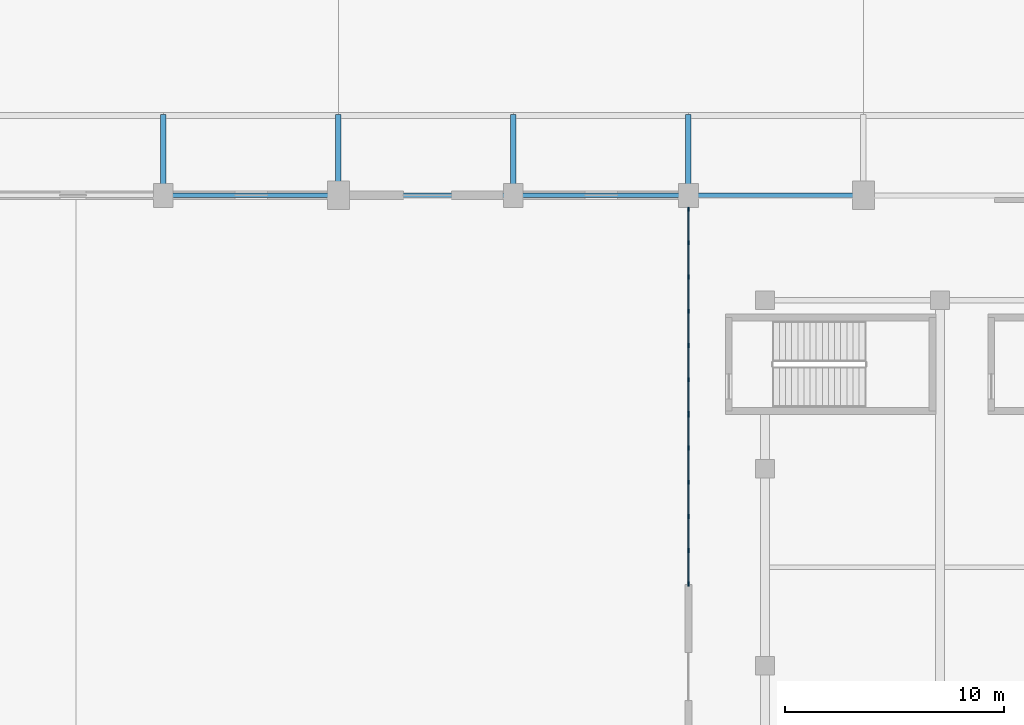
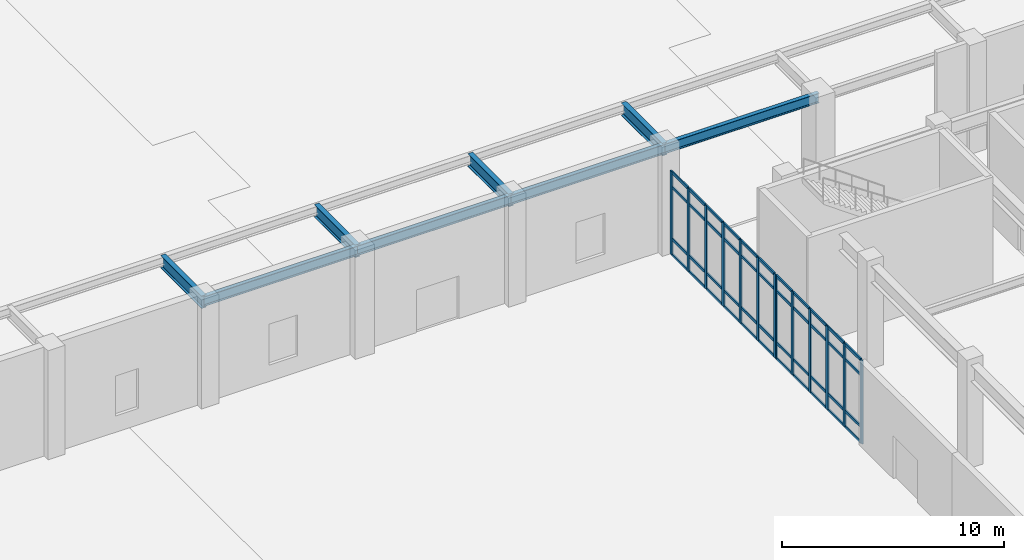
# One storey, part 17 of 49: 57 members, 8 beams, 2 elements without a shape of their own.
"""IFC4 building model written with IfcOpenShell, lengths in metres."""

from ifc_helpers import new_model, si_unit, direction, frame, origin, origin_2d, place, context, subcontext, project, spatial, rectangle, i_section, extrude, material, layer, layer_set, material_profile, profile_set, type_object, element, aggregate, save


model = new_model("IFC4")

# Units and contexts
model_context = context("Model", 3, precision=1e-05, world=origin(), true_north=direction((0.0, 1.0)))
body_context = subcontext(model_context, "Body", "Model", "MODEL_VIEW")
ifc_project = project(units=[si_unit("LENGTHUNIT", "METRE"), si_unit("AREAUNIT", "SQUARE_METRE"), si_unit("VOLUMEUNIT", "CUBIC_METRE"), si_unit("PLANEANGLEUNIT", "RADIAN"), si_unit("MASSUNIT", "GRAM", prefix="KILO")], contexts=[model_context])

# Site, building, storey
site_placement = place(None, origin())
site = spatial("IfcSite", under=ifc_project, at=site_placement, CompositionType="ELEMENT")
building_placement = place(site_placement, origin())
building = spatial("IfcBuilding", under=site, at=building_placement, Name="Tlacozan Convention Centre", CompositionType="ELEMENT")
storey_placement = place(building_placement, origin())
storey = spatial("IfcBuildingStorey", under=building, at=storey_placement, Name="L00", CompositionType="ELEMENT", Elevation=0.0)

# Curtain wall, members
ifc_material_1 = material(Name="Dark Bronze Anodised Aluminium", Category="aluminium")
ifc_layer = layer(ifc_material_1, 0.199951171875)
ifc_layer_set = layer_set([ifc_layer], Name="Dark Bronze Anodised Aluminium")
curtain_wall_type = type_object("IfcCurtainWallType", Name="Unitised Courtyard Cloister L00 CW07", PredefinedType="NOTDEFINED", material=ifc_layer_set)
curtain_wall_1_placement = place(storey_placement, origin())
curtain_wall_1 = element("IfcCurtainWall", 1, at=curtain_wall_1_placement, inside=storey, type_object=curtain_wall_type, Name="L00 CW-07 Run 159", PredefinedType="NOTDEFINED")
ifc_material_profile_1 = material_profile(ifc_material_1, rectangle(XDim=0.074951171875, YDim=0.199951171875, at=origin_2d()), Name="ALU 75x200")
ifc_profile_set_1 = profile_set([ifc_material_profile_1], Name="Dark Bronze Anodised Aluminium")
member_type_1 = type_object("IfcMemberType", Name="Curtain Wall Heavy Mullion 75x200", PredefinedType="MULLION", material=ifc_profile_set_1)
member_1_placement = place(storey_placement, frame((88.0, 44.237548828125, 0.0), z_axis=(0.0, 0.0, 1.0), x_axis=(-1.0, 0.0, 0.0)))
member_1 = element("IfcMember", 2, at=member_1_placement, type_object=member_type_1, Name="CW-07 mullion 1", PredefinedType="MULLION", context=body_context, shape_type="SweptSolid", body=[
    extrude(rectangle(XDim=0.074951171875, YDim=0.199951171875, at=origin_2d()), origin(), (0.0, 0.0, 1.0), 4.60009765625),
])
member_2_placement = place(storey_placement, frame((88.0, 45.760009765625, 0.0), z_axis=(0.0, 0.0, 1.0), x_axis=(-1.0, 0.0, 0.0)))
member_2 = element("IfcMember", 3, at=member_2_placement, type_object=member_type_1, Name="CW-07 mullion 2", PredefinedType="MULLION", context=body_context, shape_type="SweptSolid", body=[
    extrude(rectangle(XDim=0.074951171875, YDim=0.199951171875, at=origin_2d()), origin(), (0.0, 0.0, 1.0), 4.60009765625),
])
member_3_placement = place(storey_placement, frame((88.0, 47.320068359375, 0.0), z_axis=(0.0, 0.0, 1.0), x_axis=(-1.0, 0.0, 0.0)))
member_3 = element("IfcMember", 4, at=member_3_placement, type_object=member_type_1, Name="CW-07 mullion 3", PredefinedType="MULLION", context=body_context, shape_type="SweptSolid", body=[
    extrude(rectangle(XDim=0.074951171875, YDim=0.199951171875, at=origin_2d()), origin(), (0.0, 0.0, 1.0), 4.60009765625),
])
member_4_placement = place(storey_placement, frame((88.0, 48.8798828125, 0.0), z_axis=(0.0, 0.0, 1.0), x_axis=(-1.0, 0.0, 0.0)))
member_4 = element("IfcMember", 5, at=member_4_placement, type_object=member_type_1, Name="CW-07 mullion 4", PredefinedType="MULLION", context=body_context, shape_type="SweptSolid", body=[
    extrude(rectangle(XDim=0.074951171875, YDim=0.199951171875, at=origin_2d()), origin(), (0.0, 0.0, 1.0), 4.60009765625),
])
member_5_placement = place(storey_placement, frame((88.0, 50.43994140625, 0.0), z_axis=(0.0, 0.0, 1.0), x_axis=(-1.0, 0.0, 0.0)))
member_5 = element("IfcMember", 6, at=member_5_placement, type_object=member_type_1, Name="CW-07 mullion 5", PredefinedType="MULLION", context=body_context, shape_type="SweptSolid", body=[
    extrude(rectangle(XDim=0.074951171875, YDim=0.199951171875, at=origin_2d()), origin(), (0.0, 0.0, 1.0), 4.60009765625),
])
member_6_placement = place(storey_placement, frame((88.0, 51.96240234375, 0.0), z_axis=(0.0, 0.0, 1.0), x_axis=(-1.0, 0.0, 0.0)))
member_6 = element("IfcMember", 7, at=member_6_placement, type_object=member_type_1, Name="CW-07 mullion 6", PredefinedType="MULLION", context=body_context, shape_type="SweptSolid", body=[
    extrude(rectangle(XDim=0.074951171875, YDim=0.199951171875, at=origin_2d()), origin(), (0.0, 0.0, 1.0), 4.60009765625),
])

curtain_wall_2_placement = place(storey_placement, origin())
curtain_wall_2 = element("IfcCurtainWall", 8, at=curtain_wall_2_placement, inside=storey, type_object=curtain_wall_type, Name="L00 CW-07 Run 162", PredefinedType="NOTDEFINED")
member_7_placement = place(storey_placement, frame((88.0, 52.03759765625, 0.0), z_axis=(0.0, 0.0, 1.0), x_axis=(-1.0, 0.0, 0.0)))
member_7 = element("IfcMember", 9, at=member_7_placement, type_object=member_type_1, Name="CW-07 mullion 1", PredefinedType="MULLION", context=body_context, shape_type="SweptSolid", body=[
    extrude(rectangle(XDim=0.074951171875, YDim=0.199951171875, at=origin_2d()), origin(), (0.0, 0.0, 1.0), 4.60009765625),
])
member_8_placement = place(storey_placement, frame((88.0, 53.566650390625, 0.0), z_axis=(0.0, 0.0, 1.0), x_axis=(-1.0, 0.0, 0.0)))
member_8 = element("IfcMember", 10, at=member_8_placement, type_object=member_type_1, Name="CW-07 mullion 2", PredefinedType="MULLION", context=body_context, shape_type="SweptSolid", body=[
    extrude(rectangle(XDim=0.074951171875, YDim=0.199951171875, at=origin_2d()), origin(), (0.0, 0.0, 1.0), 4.60009765625),
])
member_9_placement = place(storey_placement, frame((88.0, 55.13330078125, 0.0), z_axis=(0.0, 0.0, 1.0), x_axis=(-1.0, 0.0, 0.0)))
member_9 = element("IfcMember", 11, at=member_9_placement, type_object=member_type_1, Name="CW-07 mullion 3", PredefinedType="MULLION", context=body_context, shape_type="SweptSolid", body=[
    extrude(rectangle(XDim=0.074951171875, YDim=0.199951171875, at=origin_2d()), origin(), (0.0, 0.0, 1.0), 4.60009765625),
])
member_10_placement = place(storey_placement, frame((88.0, 56.699951171875, 0.0), z_axis=(0.0, 0.0, 1.0), x_axis=(-1.0, 0.0, 0.0)))
member_10 = element("IfcMember", 12, at=member_10_placement, type_object=member_type_1, Name="CW-07 mullion 4", PredefinedType="MULLION", context=body_context, shape_type="SweptSolid", body=[
    extrude(rectangle(XDim=0.074951171875, YDim=0.199951171875, at=origin_2d()), origin(), (0.0, 0.0, 1.0), 4.60009765625),
])
member_11_placement = place(storey_placement, frame((88.0, 58.2666015625, 0.0), z_axis=(0.0, 0.0, 1.0), x_axis=(-1.0, 0.0, 0.0)))
member_11 = element("IfcMember", 13, at=member_11_placement, type_object=member_type_1, Name="CW-07 mullion 5", PredefinedType="MULLION", context=body_context, shape_type="SweptSolid", body=[
    extrude(rectangle(XDim=0.074951171875, YDim=0.199951171875, at=origin_2d()), origin(), (0.0, 0.0, 1.0), 4.60009765625),
])
member_12_placement = place(storey_placement, frame((88.0, 59.833251953125, 0.0), z_axis=(0.0, 0.0, 1.0), x_axis=(-1.0, 0.0, 0.0)))
member_12 = element("IfcMember", 14, at=member_12_placement, type_object=member_type_1, Name="CW-07 mullion 6", PredefinedType="MULLION", context=body_context, shape_type="SweptSolid", body=[
    extrude(rectangle(XDim=0.074951171875, YDim=0.199951171875, at=origin_2d()), origin(), (0.0, 0.0, 1.0), 4.60009765625),
])
member_13_placement = place(storey_placement, frame((88.0, 61.362548828125, 0.0), z_axis=(0.0, 0.0, 1.0), x_axis=(-1.0, 0.0, 0.0)))
member_13 = element("IfcMember", 15, at=member_13_placement, type_object=member_type_1, Name="CW-07 mullion 7", PredefinedType="MULLION", context=body_context, shape_type="SweptSolid", body=[
    extrude(rectangle(XDim=0.074951171875, YDim=0.199951171875, at=origin_2d()), origin(), (0.0, 0.0, 1.0), 4.60009765625),
])

# Member
ifc_material_profile_2 = material_profile(ifc_material_1, rectangle(XDim=0.074951171875, YDim=0.14990234375, at=origin_2d()), Name="ALU 75x150")
ifc_profile_set_2 = profile_set([ifc_material_profile_2], Name="Dark Bronze Anodised Aluminium")
member_type_2 = type_object("IfcMemberType", Name="Curtain Wall Heavy Transom 75x150", PredefinedType="USERDEFINED", material=ifc_profile_set_2)
member_14_placement = place(storey_placement, frame((88.0, 44.27490234375, 0.03759765625), z_axis=(0.0, 1.0, 0.0), x_axis=(-1.0, 0.0, 0.0)))
member_14 = element("IfcMember", 16, at=member_14_placement, type_object=member_type_2, Name="CW-07 transom 1.1", ObjectType="TRANSOM", PredefinedType="USERDEFINED", context=body_context, shape_type="SweptSolid", body=[
    extrude(rectangle(XDim=0.074951171875, YDim=0.14990234375, at=origin_2d()), origin(), (0.0, 0.0, 1.0), 1.447509765625),
])

member_15_placement = place(storey_placement, frame((88.0, 44.27490234375, 0.89990234375), z_axis=(0.0, 1.0, 0.0), x_axis=(-1.0, 0.0, 0.0)))
member_15 = element("IfcMember", 17, at=member_15_placement, type_object=member_type_2, Name="CW-07 transom 1.2", ObjectType="TRANSOM", PredefinedType="USERDEFINED", context=body_context, shape_type="SweptSolid", body=[
    extrude(rectangle(XDim=0.074951171875, YDim=0.14990234375, at=origin_2d()), origin(), (0.0, 0.0, 1.0), 1.447509765625),
])

member_16_placement = place(storey_placement, frame((88.0, 44.27490234375, 3.75), z_axis=(0.0, 1.0, 0.0), x_axis=(-1.0, 0.0, 0.0)))
member_16 = element("IfcMember", 18, at=member_16_placement, type_object=member_type_2, Name="CW-07 transom 1.3", ObjectType="TRANSOM", PredefinedType="USERDEFINED", context=body_context, shape_type="SweptSolid", body=[
    extrude(rectangle(XDim=0.074951171875, YDim=0.14990234375, at=origin_2d()), origin(), (0.0, 0.0, 1.0), 1.447509765625),
])

member_17_placement = place(storey_placement, frame((88.0, 44.27490234375, 4.5625), z_axis=(0.0, 1.0, 0.0), x_axis=(-1.0, 0.0, 0.0)))
member_17 = element("IfcMember", 19, at=member_17_placement, type_object=member_type_2, Name="CW-07 transom 1.4", ObjectType="TRANSOM", PredefinedType="USERDEFINED", context=body_context, shape_type="SweptSolid", body=[
    extrude(rectangle(XDim=0.074951171875, YDim=0.14990234375, at=origin_2d()), origin(), (0.0, 0.0, 1.0), 1.447509765625),
])

member_18_placement = place(storey_placement, frame((88.0, 45.797607421875, 0.03759765625), z_axis=(0.0, 1.0, 0.0), x_axis=(-1.0, 0.0, 0.0)))
member_18 = element("IfcMember", 20, at=member_18_placement, type_object=member_type_2, Name="CW-07 transom 2.1", ObjectType="TRANSOM", PredefinedType="USERDEFINED", context=body_context, shape_type="SweptSolid", body=[
    extrude(rectangle(XDim=0.074951171875, YDim=0.14990234375, at=origin_2d()), origin(), (0.0, 0.0, 1.0), 1.48486328125),
])

member_19_placement = place(storey_placement, frame((88.0, 45.797607421875, 0.89990234375), z_axis=(0.0, 1.0, 0.0), x_axis=(-1.0, 0.0, 0.0)))
member_19 = element("IfcMember", 21, at=member_19_placement, type_object=member_type_2, Name="CW-07 transom 2.2", ObjectType="TRANSOM", PredefinedType="USERDEFINED", context=body_context, shape_type="SweptSolid", body=[
    extrude(rectangle(XDim=0.074951171875, YDim=0.14990234375, at=origin_2d()), origin(), (0.0, 0.0, 1.0), 1.48486328125),
])

member_20_placement = place(storey_placement, frame((88.0, 45.797607421875, 3.75), z_axis=(0.0, 1.0, 0.0), x_axis=(-1.0, 0.0, 0.0)))
member_20 = element("IfcMember", 22, at=member_20_placement, type_object=member_type_2, Name="CW-07 transom 2.3", ObjectType="TRANSOM", PredefinedType="USERDEFINED", context=body_context, shape_type="SweptSolid", body=[
    extrude(rectangle(XDim=0.074951171875, YDim=0.14990234375, at=origin_2d()), origin(), (0.0, 0.0, 1.0), 1.48486328125),
])

member_21_placement = place(storey_placement, frame((88.0, 45.797607421875, 4.5625), z_axis=(0.0, 1.0, 0.0), x_axis=(-1.0, 0.0, 0.0)))
member_21 = element("IfcMember", 23, at=member_21_placement, type_object=member_type_2, Name="CW-07 transom 2.4", ObjectType="TRANSOM", PredefinedType="USERDEFINED", context=body_context, shape_type="SweptSolid", body=[
    extrude(rectangle(XDim=0.074951171875, YDim=0.14990234375, at=origin_2d()), origin(), (0.0, 0.0, 1.0), 1.48486328125),
])

member_22_placement = place(storey_placement, frame((88.0, 47.357421875, 0.03759765625), z_axis=(0.0, 1.0, 0.0), x_axis=(-1.0, 0.0, 0.0)))
member_22 = element("IfcMember", 24, at=member_22_placement, type_object=member_type_2, Name="CW-07 transom 3.1", ObjectType="TRANSOM", PredefinedType="USERDEFINED", context=body_context, shape_type="SweptSolid", body=[
    extrude(rectangle(XDim=0.074951171875, YDim=0.14990234375, at=origin_2d()), origin(), (0.0, 0.0, 1.0), 1.485107421875),
])

member_23_placement = place(storey_placement, frame((88.0, 47.357421875, 0.89990234375), z_axis=(0.0, 1.0, 0.0), x_axis=(-1.0, 0.0, 0.0)))
member_23 = element("IfcMember", 25, at=member_23_placement, type_object=member_type_2, Name="CW-07 transom 3.2", ObjectType="TRANSOM", PredefinedType="USERDEFINED", context=body_context, shape_type="SweptSolid", body=[
    extrude(rectangle(XDim=0.074951171875, YDim=0.14990234375, at=origin_2d()), origin(), (0.0, 0.0, 1.0), 1.485107421875),
])

member_24_placement = place(storey_placement, frame((88.0, 47.357421875, 3.75), z_axis=(0.0, 1.0, 0.0), x_axis=(-1.0, 0.0, 0.0)))
member_24 = element("IfcMember", 26, at=member_24_placement, type_object=member_type_2, Name="CW-07 transom 3.3", ObjectType="TRANSOM", PredefinedType="USERDEFINED", context=body_context, shape_type="SweptSolid", body=[
    extrude(rectangle(XDim=0.074951171875, YDim=0.14990234375, at=origin_2d()), origin(), (0.0, 0.0, 1.0), 1.485107421875),
])

member_25_placement = place(storey_placement, frame((88.0, 47.357421875, 4.5625), z_axis=(0.0, 1.0, 0.0), x_axis=(-1.0, 0.0, 0.0)))
member_25 = element("IfcMember", 27, at=member_25_placement, type_object=member_type_2, Name="CW-07 transom 3.4", ObjectType="TRANSOM", PredefinedType="USERDEFINED", context=body_context, shape_type="SweptSolid", body=[
    extrude(rectangle(XDim=0.074951171875, YDim=0.14990234375, at=origin_2d()), origin(), (0.0, 0.0, 1.0), 1.485107421875),
])

member_26_placement = place(storey_placement, frame((88.0, 48.91748046875, 0.03759765625), z_axis=(0.0, 1.0, 0.0), x_axis=(-1.0, 0.0, 0.0)))
member_26 = element("IfcMember", 28, at=member_26_placement, type_object=member_type_2, Name="CW-07 transom 4.1", ObjectType="TRANSOM", PredefinedType="USERDEFINED", context=body_context, shape_type="SweptSolid", body=[
    extrude(rectangle(XDim=0.074951171875, YDim=0.14990234375, at=origin_2d()), origin(), (0.0, 0.0, 1.0), 1.485107421875),
])

member_27_placement = place(storey_placement, frame((88.0, 48.91748046875, 0.89990234375), z_axis=(0.0, 1.0, 0.0), x_axis=(-1.0, 0.0, 0.0)))
member_27 = element("IfcMember", 29, at=member_27_placement, type_object=member_type_2, Name="CW-07 transom 4.2", ObjectType="TRANSOM", PredefinedType="USERDEFINED", context=body_context, shape_type="SweptSolid", body=[
    extrude(rectangle(XDim=0.074951171875, YDim=0.14990234375, at=origin_2d()), origin(), (0.0, 0.0, 1.0), 1.485107421875),
])

member_28_placement = place(storey_placement, frame((88.0, 48.91748046875, 3.75), z_axis=(0.0, 1.0, 0.0), x_axis=(-1.0, 0.0, 0.0)))
member_28 = element("IfcMember", 30, at=member_28_placement, type_object=member_type_2, Name="CW-07 transom 4.3", ObjectType="TRANSOM", PredefinedType="USERDEFINED", context=body_context, shape_type="SweptSolid", body=[
    extrude(rectangle(XDim=0.074951171875, YDim=0.14990234375, at=origin_2d()), origin(), (0.0, 0.0, 1.0), 1.485107421875),
])

member_29_placement = place(storey_placement, frame((88.0, 48.91748046875, 4.5625), z_axis=(0.0, 1.0, 0.0), x_axis=(-1.0, 0.0, 0.0)))
member_29 = element("IfcMember", 31, at=member_29_placement, type_object=member_type_2, Name="CW-07 transom 4.4", ObjectType="TRANSOM", PredefinedType="USERDEFINED", context=body_context, shape_type="SweptSolid", body=[
    extrude(rectangle(XDim=0.074951171875, YDim=0.14990234375, at=origin_2d()), origin(), (0.0, 0.0, 1.0), 1.485107421875),
])

member_30_placement = place(storey_placement, frame((88.0, 50.4775390625, 0.03759765625), z_axis=(0.0, 1.0, 0.0), x_axis=(-1.0, 0.0, 0.0)))
member_30 = element("IfcMember", 32, at=member_30_placement, type_object=member_type_2, Name="CW-07 transom 5.1", ObjectType="TRANSOM", PredefinedType="USERDEFINED", context=body_context, shape_type="SweptSolid", body=[
    extrude(rectangle(XDim=0.074951171875, YDim=0.14990234375, at=origin_2d()), origin(), (0.0, 0.0, 1.0), 1.447509765625),
])

member_31_placement = place(storey_placement, frame((88.0, 50.4775390625, 0.89990234375), z_axis=(0.0, 1.0, 0.0), x_axis=(-1.0, 0.0, 0.0)))
member_31 = element("IfcMember", 33, at=member_31_placement, type_object=member_type_2, Name="CW-07 transom 5.2", ObjectType="TRANSOM", PredefinedType="USERDEFINED", context=body_context, shape_type="SweptSolid", body=[
    extrude(rectangle(XDim=0.074951171875, YDim=0.14990234375, at=origin_2d()), origin(), (0.0, 0.0, 1.0), 1.447509765625),
])

member_32_placement = place(storey_placement, frame((88.0, 50.4775390625, 3.75), z_axis=(0.0, 1.0, 0.0), x_axis=(-1.0, 0.0, 0.0)))
member_32 = element("IfcMember", 34, at=member_32_placement, type_object=member_type_2, Name="CW-07 transom 5.3", ObjectType="TRANSOM", PredefinedType="USERDEFINED", context=body_context, shape_type="SweptSolid", body=[
    extrude(rectangle(XDim=0.074951171875, YDim=0.14990234375, at=origin_2d()), origin(), (0.0, 0.0, 1.0), 1.447509765625),
])

member_33_placement = place(storey_placement, frame((88.0, 50.4775390625, 4.5625), z_axis=(0.0, 1.0, 0.0), x_axis=(-1.0, 0.0, 0.0)))
member_33 = element("IfcMember", 35, at=member_33_placement, type_object=member_type_2, Name="CW-07 transom 5.4", ObjectType="TRANSOM", PredefinedType="USERDEFINED", context=body_context, shape_type="SweptSolid", body=[
    extrude(rectangle(XDim=0.074951171875, YDim=0.14990234375, at=origin_2d()), origin(), (0.0, 0.0, 1.0), 1.447509765625),
])

aggregate(curtain_wall_1, [member_1, member_2, member_3, member_4, member_5, member_6, member_14, member_15, member_16, member_17, member_18, member_19, member_20, member_21, member_22, member_23, member_24, member_25, member_26, member_27, member_28, member_29, member_30, member_31, member_32, member_33])

member_34_placement = place(storey_placement, frame((88.0, 52.074951171875, 0.03759765625), z_axis=(0.0, 1.0, 0.0), x_axis=(-1.0, 0.0, 0.0)))
member_34 = element("IfcMember", 36, at=member_34_placement, type_object=member_type_2, Name="CW-07 transom 1.1", ObjectType="TRANSOM", PredefinedType="USERDEFINED", context=body_context, shape_type="SweptSolid", body=[
    extrude(rectangle(XDim=0.074951171875, YDim=0.14990234375, at=origin_2d()), origin(), (0.0, 0.0, 1.0), 1.4541015625),
])

member_35_placement = place(storey_placement, frame((88.0, 52.074951171875, 0.89990234375), z_axis=(0.0, 1.0, 0.0), x_axis=(-1.0, 0.0, 0.0)))
member_35 = element("IfcMember", 37, at=member_35_placement, type_object=member_type_2, Name="CW-07 transom 1.2", ObjectType="TRANSOM", PredefinedType="USERDEFINED", context=body_context, shape_type="SweptSolid", body=[
    extrude(rectangle(XDim=0.074951171875, YDim=0.14990234375, at=origin_2d()), origin(), (0.0, 0.0, 1.0), 1.4541015625),
])

member_36_placement = place(storey_placement, frame((88.0, 52.074951171875, 3.75), z_axis=(0.0, 1.0, 0.0), x_axis=(-1.0, 0.0, 0.0)))
member_36 = element("IfcMember", 38, at=member_36_placement, type_object=member_type_2, Name="CW-07 transom 1.3", ObjectType="TRANSOM", PredefinedType="USERDEFINED", context=body_context, shape_type="SweptSolid", body=[
    extrude(rectangle(XDim=0.074951171875, YDim=0.14990234375, at=origin_2d()), origin(), (0.0, 0.0, 1.0), 1.4541015625),
])

member_37_placement = place(storey_placement, frame((88.0, 52.074951171875, 4.5625), z_axis=(0.0, 1.0, 0.0), x_axis=(-1.0, 0.0, 0.0)))
member_37 = element("IfcMember", 39, at=member_37_placement, type_object=member_type_2, Name="CW-07 transom 1.4", ObjectType="TRANSOM", PredefinedType="USERDEFINED", context=body_context, shape_type="SweptSolid", body=[
    extrude(rectangle(XDim=0.074951171875, YDim=0.14990234375, at=origin_2d()), origin(), (0.0, 0.0, 1.0), 1.4541015625),
])

member_38_placement = place(storey_placement, frame((88.0, 53.604248046875, 0.03759765625), z_axis=(0.0, 1.0, 0.0), x_axis=(-1.0, 0.0, 0.0)))
member_38 = element("IfcMember", 40, at=member_38_placement, type_object=member_type_2, Name="CW-07 transom 2.1", ObjectType="TRANSOM", PredefinedType="USERDEFINED", context=body_context, shape_type="SweptSolid", body=[
    extrude(rectangle(XDim=0.074951171875, YDim=0.14990234375, at=origin_2d()), origin(), (0.0, 0.0, 1.0), 1.49169921875),
])

member_39_placement = place(storey_placement, frame((88.0, 53.604248046875, 0.89990234375), z_axis=(0.0, 1.0, 0.0), x_axis=(-1.0, 0.0, 0.0)))
member_39 = element("IfcMember", 41, at=member_39_placement, type_object=member_type_2, Name="CW-07 transom 2.2", ObjectType="TRANSOM", PredefinedType="USERDEFINED", context=body_context, shape_type="SweptSolid", body=[
    extrude(rectangle(XDim=0.074951171875, YDim=0.14990234375, at=origin_2d()), origin(), (0.0, 0.0, 1.0), 1.49169921875),
])

member_40_placement = place(storey_placement, frame((88.0, 53.604248046875, 3.75), z_axis=(0.0, 1.0, 0.0), x_axis=(-1.0, 0.0, 0.0)))
member_40 = element("IfcMember", 42, at=member_40_placement, type_object=member_type_2, Name="CW-07 transom 2.3", ObjectType="TRANSOM", PredefinedType="USERDEFINED", context=body_context, shape_type="SweptSolid", body=[
    extrude(rectangle(XDim=0.074951171875, YDim=0.14990234375, at=origin_2d()), origin(), (0.0, 0.0, 1.0), 1.49169921875),
])

member_41_placement = place(storey_placement, frame((88.0, 53.604248046875, 4.5625), z_axis=(0.0, 1.0, 0.0), x_axis=(-1.0, 0.0, 0.0)))
member_41 = element("IfcMember", 43, at=member_41_placement, type_object=member_type_2, Name="CW-07 transom 2.4", ObjectType="TRANSOM", PredefinedType="USERDEFINED", context=body_context, shape_type="SweptSolid", body=[
    extrude(rectangle(XDim=0.074951171875, YDim=0.14990234375, at=origin_2d()), origin(), (0.0, 0.0, 1.0), 1.49169921875),
])

member_42_placement = place(storey_placement, frame((88.0, 55.1708984375, 0.03759765625), z_axis=(0.0, 1.0, 0.0), x_axis=(-1.0, 0.0, 0.0)))
member_42 = element("IfcMember", 44, at=member_42_placement, type_object=member_type_2, Name="CW-07 transom 3.1", ObjectType="TRANSOM", PredefinedType="USERDEFINED", context=body_context, shape_type="SweptSolid", body=[
    extrude(rectangle(XDim=0.074951171875, YDim=0.14990234375, at=origin_2d()), origin(), (0.0, 0.0, 1.0), 1.49169921875),
])

member_43_placement = place(storey_placement, frame((88.0, 55.1708984375, 0.89990234375), z_axis=(0.0, 1.0, 0.0), x_axis=(-1.0, 0.0, 0.0)))
member_43 = element("IfcMember", 45, at=member_43_placement, type_object=member_type_2, Name="CW-07 transom 3.2", ObjectType="TRANSOM", PredefinedType="USERDEFINED", context=body_context, shape_type="SweptSolid", body=[
    extrude(rectangle(XDim=0.074951171875, YDim=0.14990234375, at=origin_2d()), origin(), (0.0, 0.0, 1.0), 1.49169921875),
])

member_44_placement = place(storey_placement, frame((88.0, 55.1708984375, 3.75), z_axis=(0.0, 1.0, 0.0), x_axis=(-1.0, 0.0, 0.0)))
member_44 = element("IfcMember", 46, at=member_44_placement, type_object=member_type_2, Name="CW-07 transom 3.3", ObjectType="TRANSOM", PredefinedType="USERDEFINED", context=body_context, shape_type="SweptSolid", body=[
    extrude(rectangle(XDim=0.074951171875, YDim=0.14990234375, at=origin_2d()), origin(), (0.0, 0.0, 1.0), 1.49169921875),
])

member_45_placement = place(storey_placement, frame((88.0, 55.1708984375, 4.5625), z_axis=(0.0, 1.0, 0.0), x_axis=(-1.0, 0.0, 0.0)))
member_45 = element("IfcMember", 47, at=member_45_placement, type_object=member_type_2, Name="CW-07 transom 3.4", ObjectType="TRANSOM", PredefinedType="USERDEFINED", context=body_context, shape_type="SweptSolid", body=[
    extrude(rectangle(XDim=0.074951171875, YDim=0.14990234375, at=origin_2d()), origin(), (0.0, 0.0, 1.0), 1.49169921875),
])

member_46_placement = place(storey_placement, frame((88.0, 56.737548828125, 0.03759765625), z_axis=(0.0, 1.0, 0.0), x_axis=(-1.0, 0.0, 0.0)))
member_46 = element("IfcMember", 48, at=member_46_placement, type_object=member_type_2, Name="CW-07 transom 4.1", ObjectType="TRANSOM", PredefinedType="USERDEFINED", context=body_context, shape_type="SweptSolid", body=[
    extrude(rectangle(XDim=0.074951171875, YDim=0.14990234375, at=origin_2d()), origin(), (0.0, 0.0, 1.0), 1.49169921875),
])

member_47_placement = place(storey_placement, frame((88.0, 56.737548828125, 0.89990234375), z_axis=(0.0, 1.0, 0.0), x_axis=(-1.0, 0.0, 0.0)))
member_47 = element("IfcMember", 49, at=member_47_placement, type_object=member_type_2, Name="CW-07 transom 4.2", ObjectType="TRANSOM", PredefinedType="USERDEFINED", context=body_context, shape_type="SweptSolid", body=[
    extrude(rectangle(XDim=0.074951171875, YDim=0.14990234375, at=origin_2d()), origin(), (0.0, 0.0, 1.0), 1.49169921875),
])

member_48_placement = place(storey_placement, frame((88.0, 56.737548828125, 3.75), z_axis=(0.0, 1.0, 0.0), x_axis=(-1.0, 0.0, 0.0)))
member_48 = element("IfcMember", 50, at=member_48_placement, type_object=member_type_2, Name="CW-07 transom 4.3", ObjectType="TRANSOM", PredefinedType="USERDEFINED", context=body_context, shape_type="SweptSolid", body=[
    extrude(rectangle(XDim=0.074951171875, YDim=0.14990234375, at=origin_2d()), origin(), (0.0, 0.0, 1.0), 1.49169921875),
])

member_49_placement = place(storey_placement, frame((88.0, 56.737548828125, 4.5625), z_axis=(0.0, 1.0, 0.0), x_axis=(-1.0, 0.0, 0.0)))
member_49 = element("IfcMember", 51, at=member_49_placement, type_object=member_type_2, Name="CW-07 transom 4.4", ObjectType="TRANSOM", PredefinedType="USERDEFINED", context=body_context, shape_type="SweptSolid", body=[
    extrude(rectangle(XDim=0.074951171875, YDim=0.14990234375, at=origin_2d()), origin(), (0.0, 0.0, 1.0), 1.49169921875),
])

member_50_placement = place(storey_placement, frame((88.0, 58.30419921875, 0.03759765625), z_axis=(0.0, 1.0, 0.0), x_axis=(-1.0, 0.0, 0.0)))
member_50 = element("IfcMember", 52, at=member_50_placement, type_object=member_type_2, Name="CW-07 transom 5.1", ObjectType="TRANSOM", PredefinedType="USERDEFINED", context=body_context, shape_type="SweptSolid", body=[
    extrude(rectangle(XDim=0.074951171875, YDim=0.14990234375, at=origin_2d()), origin(), (0.0, 0.0, 1.0), 1.49169921875),
])

member_51_placement = place(storey_placement, frame((88.0, 58.30419921875, 0.89990234375), z_axis=(0.0, 1.0, 0.0), x_axis=(-1.0, 0.0, 0.0)))
member_51 = element("IfcMember", 53, at=member_51_placement, type_object=member_type_2, Name="CW-07 transom 5.2", ObjectType="TRANSOM", PredefinedType="USERDEFINED", context=body_context, shape_type="SweptSolid", body=[
    extrude(rectangle(XDim=0.074951171875, YDim=0.14990234375, at=origin_2d()), origin(), (0.0, 0.0, 1.0), 1.49169921875),
])

member_52_placement = place(storey_placement, frame((88.0, 58.30419921875, 3.75), z_axis=(0.0, 1.0, 0.0), x_axis=(-1.0, 0.0, 0.0)))
member_52 = element("IfcMember", 54, at=member_52_placement, type_object=member_type_2, Name="CW-07 transom 5.3", ObjectType="TRANSOM", PredefinedType="USERDEFINED", context=body_context, shape_type="SweptSolid", body=[
    extrude(rectangle(XDim=0.074951171875, YDim=0.14990234375, at=origin_2d()), origin(), (0.0, 0.0, 1.0), 1.49169921875),
])

member_53_placement = place(storey_placement, frame((88.0, 58.30419921875, 4.5625), z_axis=(0.0, 1.0, 0.0), x_axis=(-1.0, 0.0, 0.0)))
member_53 = element("IfcMember", 55, at=member_53_placement, type_object=member_type_2, Name="CW-07 transom 5.4", ObjectType="TRANSOM", PredefinedType="USERDEFINED", context=body_context, shape_type="SweptSolid", body=[
    extrude(rectangle(XDim=0.074951171875, YDim=0.14990234375, at=origin_2d()), origin(), (0.0, 0.0, 1.0), 1.49169921875),
])

member_54_placement = place(storey_placement, frame((88.0, 59.870849609375, 0.03759765625), z_axis=(0.0, 1.0, 0.0), x_axis=(-1.0, 0.0, 0.0)))
member_54 = element("IfcMember", 56, at=member_54_placement, type_object=member_type_2, Name="CW-07 transom 6.1", ObjectType="TRANSOM", PredefinedType="USERDEFINED", context=body_context, shape_type="SweptSolid", body=[
    extrude(rectangle(XDim=0.074951171875, YDim=0.14990234375, at=origin_2d()), origin(), (0.0, 0.0, 1.0), 1.4541015625),
])

member_55_placement = place(storey_placement, frame((88.0, 59.870849609375, 0.89990234375), z_axis=(0.0, 1.0, 0.0), x_axis=(-1.0, 0.0, 0.0)))
member_55 = element("IfcMember", 57, at=member_55_placement, type_object=member_type_2, Name="CW-07 transom 6.2", ObjectType="TRANSOM", PredefinedType="USERDEFINED", context=body_context, shape_type="SweptSolid", body=[
    extrude(rectangle(XDim=0.074951171875, YDim=0.14990234375, at=origin_2d()), origin(), (0.0, 0.0, 1.0), 1.4541015625),
])

member_56_placement = place(storey_placement, frame((88.0, 59.870849609375, 3.75), z_axis=(0.0, 1.0, 0.0), x_axis=(-1.0, 0.0, 0.0)))
member_56 = element("IfcMember", 58, at=member_56_placement, type_object=member_type_2, Name="CW-07 transom 6.3", ObjectType="TRANSOM", PredefinedType="USERDEFINED", context=body_context, shape_type="SweptSolid", body=[
    extrude(rectangle(XDim=0.074951171875, YDim=0.14990234375, at=origin_2d()), origin(), (0.0, 0.0, 1.0), 1.4541015625),
])

member_57_placement = place(storey_placement, frame((88.0, 59.870849609375, 4.5625), z_axis=(0.0, 1.0, 0.0), x_axis=(-1.0, 0.0, 0.0)))
member_57 = element("IfcMember", 59, at=member_57_placement, type_object=member_type_2, Name="CW-07 transom 6.4", ObjectType="TRANSOM", PredefinedType="USERDEFINED", context=body_context, shape_type="SweptSolid", body=[
    extrude(rectangle(XDim=0.074951171875, YDim=0.14990234375, at=origin_2d()), origin(), (0.0, 0.0, 1.0), 1.4541015625),
])

aggregate(curtain_wall_2, [member_7, member_8, member_9, member_10, member_11, member_12, member_13, member_34, member_35, member_36, member_37, member_38, member_39, member_40, member_41, member_42, member_43, member_44, member_45, member_46, member_47, member_48, member_49, member_50, member_51, member_52, member_53, member_54, member_55, member_56, member_57])

# Beams
ifc_material_2 = material(Name="Steel ASTM A992 Grade 50", Category="steel")
ifc_material_profile_3 = material_profile(ifc_material_2, i_section(OverallWidth=0.2109375, OverallDepth=0.5390625, WebThickness=0.01171875, FlangeThickness=0.018798828125, FilletRadius=0.012939453125, at=origin_2d()), Name="IR 533x109.0")
ifc_profile_set_3 = profile_set([ifc_material_profile_3], Name="Steel ASTM A992 Grade 50")
beam_type_1 = type_object("IfcBeamType", Name="Floor Beam IR 533x109", PredefinedType="BEAM", material=ifc_profile_set_3)
for number, where, z_axis, x_axis, name in (
    (60, (64.0, 62.0, 5.50048828125), (1.0, 0.0, 0.0), (0.0, 1.0, 0.0), "L00 Floor Beam IR 533x109 1330"),
    (61, (72.0, 62.0, 5.50048828125), (1.0, 0.0, 0.0), (0.0, 1.0, 0.0), "L00 Floor Beam IR 533x109 1332"),
    (62, (80.0, 62.0, 5.50048828125), (1.0, 0.0, 0.0), (0.0, 1.0, 0.0), "L00 Floor Beam IR 533x109 1334"),
    (63, (88.0, 62.0, 5.50048828125), (1.0, 0.0, 0.0), (0.0, 1.0, 0.0), "L00 Floor Beam IR 533x109 1336"),
):
    element("IfcBeam", number, at=place(storey_placement, frame(where, z_axis=z_axis, x_axis=x_axis)), inside=storey, type_object=beam_type_1, Name=name, PredefinedType="BEAM", context=body_context, shape_type="SweptSolid", body=[
        extrude(i_section(OverallWidth=0.2109375, OverallDepth=0.5390625, WebThickness=0.01171875, FlangeThickness=0.018798828125, FilletRadius=0.012939453125, at=origin_2d()), origin(), (0.0, 0.0, 1.0), 8.0),
    ])
ifc_material_profile_4 = material_profile(ifc_material_2, i_section(OverallWidth=0.256103515625, OverallDepth=0.693115234375, WebThickness=0.014404296875, FlangeThickness=0.023681640625, FilletRadius=0.014892578125, at=origin_2d()), Name="IR 686x170.0")
ifc_profile_set_4 = profile_set([ifc_material_profile_4], Name="Steel ASTM A992 Grade 50")
beam_type_2 = type_object("IfcBeamType", Name="Girder Steel IR 686x170", PredefinedType="BEAM", material=ifc_profile_set_4)
for number, where, z_axis, x_axis, name in (
    (64, (64.0, 62.0, 5.423583984375), (0.0, 1.0, 0.0), (-1.0, 0.0, 0.0), "L00 Girder Steel IR 686x170 1306"),
    (65, (72.0, 62.0, 5.423583984375), (0.0, 1.0, 0.0), (-1.0, 0.0, 0.0), "L00 Girder Steel IR 686x170 1307"),
    (66, (80.0, 62.0, 5.423583984375), (0.0, 1.0, 0.0), (-1.0, 0.0, 0.0), "L00 Girder Steel IR 686x170 1308"),
    (67, (88.0, 62.0, 5.423583984375), (0.0, 1.0, 0.0), (-1.0, 0.0, 0.0), "L00 Girder Steel IR 686x170 1309"),
):
    element("IfcBeam", number, at=place(storey_placement, frame(where, z_axis=z_axis, x_axis=x_axis)), inside=storey, type_object=beam_type_2, Name=name, PredefinedType="BEAM", context=body_context, shape_type="SweptSolid", body=[
        extrude(i_section(OverallWidth=0.256103515625, OverallDepth=0.693115234375, WebThickness=0.014404296875, FlangeThickness=0.023681640625, FilletRadius=0.014892578125, at=origin_2d()), origin(), (0.0, 0.0, 1.0), 3.699951171875),
    ])

save(model, "model.ifc")
